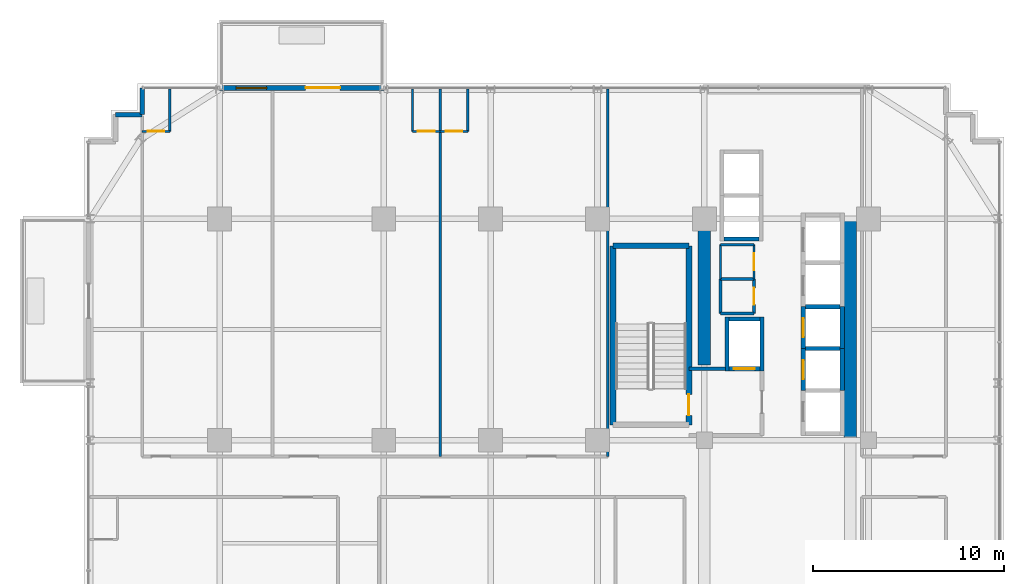
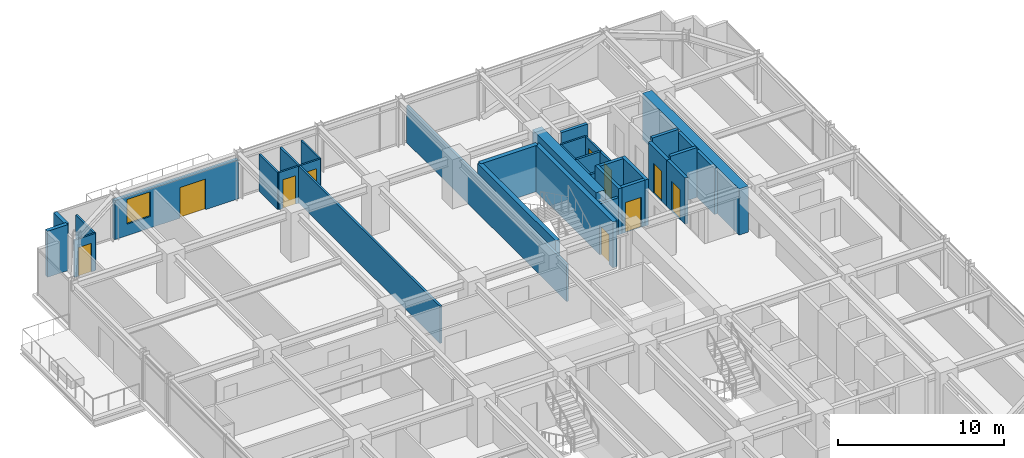
# One storey, part 30 of 35: 35 walls, 10 doors, 1 window, 11 openings.
"""IFC4 building model written with IfcOpenShell, lengths in metres."""

from ifc_helpers import new_model, si_unit, direction, frame, frame_2d, origin, place, context, subcontext, project, spatial, rectangle, extrude, source, transform, mapped, material, layer, layer_set, type_object, element, fill, save


model = new_model("IFC4")

# Units and contexts
model_context = context("Model", 3, precision=1e-05, world=origin(), true_north=direction((0.0, 1.0)))
body_context = subcontext(model_context, "Body", "Model", "MODEL_VIEW")
ifc_project = project(units=[si_unit("LENGTHUNIT", "METRE"), si_unit("AREAUNIT", "SQUARE_METRE"), si_unit("VOLUMEUNIT", "CUBIC_METRE"), si_unit("PLANEANGLEUNIT", "RADIAN"), si_unit("MASSUNIT", "GRAM", prefix="KILO")], contexts=[model_context])

# Site, building, storey
site_placement = place(None, origin())
site = spatial("IfcSite", under=ifc_project, at=site_placement, CompositionType="ELEMENT")
building_placement = place(site_placement, origin())
building = spatial("IfcBuilding", under=site, at=building_placement, Name="Nahalor Promenade Grand Hotel", CompositionType="ELEMENT")
storey_placement = place(building_placement, frame((0.0, 0.0, 106.550048828125)))
storey = spatial("IfcBuildingStorey", under=building, at=storey_placement, Name="L26", CompositionType="ELEMENT", Elevation=106.550048828125)

# Walls
ifc_material_1 = material(Name="Concrete B-60 (C50/60)", Category="concrete")
ifc_layer_1 = layer(ifc_material_1, 0.64990234375)
ifc_layer_set_1 = layer_set([ifc_layer_1], Name="Concrete B-60 (C50/60)")
wall_type_1 = type_object("IfcWallType", Name="Wall-CoreShear-650", PredefinedType="SHEAR", material=ifc_layer_set_1)
shared_shape_1 = source(origin(), body_context, "Body", "SweptSolid", [
    extrude(rectangle(XDim=7.64990234375, YDim=0.64990234375, at=frame_2d((3.824951171875, 0.0))), origin(), (0.0, 0.0, 1.0), 3.3798828125),
])
wall_1_placement = place(storey_placement, frame((8.39990234375, 9.35009765625, 0.0), z_axis=(0.0, 0.0, 1.0), x_axis=(0.0, 1.0, 0.0)))
element("IfcWall", 1, at=wall_1_placement, inside=storey, type_object=wall_type_1, Name="CWALL-L26-NW", PredefinedType="SHEAR", context=body_context, shape_type="MappedRepresentation", body=[
    mapped(shared_shape_1, transform((0.0, 0.0, 0.0), scale=1.0)),
])
shared_shape_2 = source(origin(), body_context, "Body", "SweptSolid", [
    extrude(rectangle(XDim=11.60009765625, YDim=0.64990234375, at=frame_2d((5.800048828125, 0.0))), origin(), (0.0, 0.0, 1.0), 3.3798828125),
])
wall_2_placement = place(storey_placement, frame((16.050048828125, 5.39990234375, 0.0), z_axis=(0.0, 0.0, 1.0), x_axis=(0.0, 1.0, 0.0)))
element("IfcWall", 2, at=wall_2_placement, inside=storey, type_object=wall_type_1, Name="CWALL-L26-NE", PredefinedType="SHEAR", context=body_context, shape_type="MappedRepresentation", body=[
    mapped(shared_shape_2, transform((0.0, 0.0, 0.0), scale=1.0)),
])
ifc_material_2 = material(Name="Concrete B-50 (C40/50)", Category="concrete")
ifc_layer_2 = layer(ifc_material_2, 0.300048828125)
ifc_layer_set_2 = layer_set([ifc_layer_2], Name="Concrete B-50 (C40/50)")
wall_type_2 = type_object("IfcWallType", Name="Wall-ShaftShear-300", PredefinedType="SHEAR", material=ifc_layer_set_2)
shared_shape_3 = source(origin(), body_context, "Body", "SweptSolid", [
    extrude(rectangle(XDim=3.97998046875, YDim=0.300048828125, at=frame_2d((1.989990234375, 0.0))), origin(), (0.0, 0.0, 1.0), 3.3798828125),
])
wall_3_placement = place(storey_placement, frame((3.610107421875, 15.590087890625, 0.0), z_axis=(0.0, 0.0, 1.0), x_axis=(1.0, 0.0, 0.0)))
element("IfcWall", 3, at=wall_3_placement, inside=storey, type_object=wall_type_2, Name="L26 Exit Stair ST1 Shaft Wall N", PredefinedType="SHEAR", context=body_context, shape_type="MappedRepresentation", body=[
    mapped(shared_shape_3, transform((0.0, 0.0, 0.0), scale=1.0)),
])
shared_shape_4 = source(origin(), body_context, "Body", "SweptSolid", [
    extrude(rectangle(XDim=9.380126953125, YDim=0.300048828125, at=frame_2d((4.68994140625, 0.0))), origin(), (0.0, 0.0, 1.0), 3.3798828125),
])
wall_4_placement = place(storey_placement, frame((3.610107421875, 6.2099609375, 0.0), z_axis=(0.0, 0.0, 1.0), x_axis=(0.0, 1.0, 0.0)))
element("IfcWall", 4, at=wall_4_placement, inside=storey, type_object=wall_type_2, Name="L26 Exit Stair ST1 Shaft Wall W", PredefinedType="SHEAR", context=body_context, shape_type="MappedRepresentation", body=[
    mapped(shared_shape_4, transform((0.0, 0.0, 0.0), scale=1.0)),
])

# Wall, opening, door
wall_5_placement = place(storey_placement, frame((7.590087890625, 6.2099609375, 0.0), z_axis=(0.0, 0.0, 1.0), x_axis=(0.0, 1.0, 0.0)))
wall_5 = element("IfcWall", 5, at=wall_5_placement, inside=storey, type_object=wall_type_2, Name="L26 Exit Stair ST1 Shaft Wall E", PredefinedType="SHEAR", context=body_context, shape_type="MappedRepresentation", body=[
    mapped(shared_shape_4, transform((0.0, 0.0, 0.0), scale=1.0)),
])
opening_1_placement = place(wall_5_placement, frame((0.489990234375, 0.0, 0.0)))
opening_1 = element("IfcOpeningElement", 6, at=opening_1_placement, cuts=wall_5, Name="Opening D-ST1", PredefinedType="OPENING", context=body_context, shape_type="SweptSolid", body=[
    extrude(rectangle(XDim=1.10009765625, YDim=2.14990234375, at=frame_2d((0.550048828125, 1.074951171875))), frame((0.0, 0.159912109375, 0.0), z_axis=(0.0, -1.0, 0.0), x_axis=(1.0, 0.0, 0.0)), (0.0, 0.0, 1.0), 0.320068359375),
])
ifc_material_3 = material(Name="Steel S355JR", Category="steel")
door_type_1 = type_object("IfcDoorType", Name="Door-StairFire-1100", OperationType="NOTDEFINED", PredefinedType="DOOR", material=ifc_material_3)
shared_shape_5 = source(origin(), body_context, "Body", "SweptSolid", [
    extrude(rectangle(XDim=1.10009765625, YDim=2.14990234375, at=frame_2d((0.550048828125, 1.074951171875))), frame((0.0, 0.02490234375, 0.0), z_axis=(0.0, -1.0, 0.0), x_axis=(1.0, 0.0, 0.0)), (0.0, 0.0, 1.0), 0.050048828125),
])
door_1_placement = place(opening_1_placement, origin())
door_1 = element("IfcDoor", 7, at=door_1_placement, inside=storey, type_object=door_type_1, Name="DR-STAIR-ST1-L26", OperationType="SINGLE_SWING_LEFT", OverallHeight=2.14990234375, OverallWidth=1.10009765625, PredefinedType="DOOR", context=body_context, shape_type="MappedRepresentation", body=[
    mapped(shared_shape_5, transform((0.0, 0.0, 0.0), scale=1.0)),
])
fill(opening_1, door_1)

# Walls
ifc_layer_3 = layer(ifc_material_2, 0.219970703125)
ifc_layer_set_3 = layer_set([ifc_layer_3], Name="Concrete B-50 (C40/50)")
wall_type_3 = type_object("IfcWallType", Name="Wall-LiftShaft-220", PredefinedType="SHEAR", material=ifc_layer_set_3)
shared_shape_6 = source(origin(), body_context, "Body", "SweptSolid", [
    extrude(rectangle(XDim=1.820068359375, YDim=0.219970703125, at=frame_2d((0.91015625, 0.0))), origin(), (0.0, 0.0, 1.0), 3.64990234375),
])
for number, where, z_axis, x_axis, name in (
    (8, (13.68994140625, 10.199951171875, 0.0), (0.0, 0.0, 1.0), (1.0, 0.0, 0.0), "L26 Lift PL2 Hoistway Wall N"),
    (9, (13.68994140625, 12.39990234375, 0.0), (0.0, 0.0, 1.0), (1.0, 0.0, 0.0), "L26 Lift PL3 Hoistway Wall N"),
):
    element("IfcWall", number, at=place(storey_placement, frame(where, z_axis=z_axis, x_axis=x_axis)), inside=storey, type_object=wall_type_3, Name=name, PredefinedType="SHEAR", context=body_context, shape_type="MappedRepresentation", body=[
        mapped(shared_shape_6, transform((0.0, 0.0, 0.0), scale=1.0)),
    ])
shared_shape_7 = source(origin(), body_context, "Body", "SweptSolid", [
    extrude(rectangle(XDim=1.820068359375, YDim=0.219970703125, at=frame_2d((0.91015625, 0.0))), origin(), (0.0, 0.0, 1.0), 3.3798828125),
])
wall_6_placement = place(storey_placement, frame((9.43994140625, 15.949951171875, 0.0), z_axis=(0.0, 0.0, 1.0), x_axis=(1.0, 0.0, 0.0)))
element("IfcWall", 10, at=wall_6_placement, inside=storey, type_object=wall_type_3, Name="L26 Lift OB1 Hoistway Wall S", PredefinedType="SHEAR", context=body_context, shape_type="MappedRepresentation", body=[
    mapped(shared_shape_7, transform((0.0, 0.0, 0.0), scale=1.0)),
])

# Wall, opening, door
shared_shape_8 = source(origin(), body_context, "Body", "SweptSolid", [
    extrude(rectangle(XDim=2.199951171875, YDim=0.219970703125, at=frame_2d((1.10009765625, 0.0))), origin(), (0.0, 0.0, 1.0), 3.3798828125),
])
wall_7_placement = place(storey_placement, frame((13.580078125, 8.0, 0.0), z_axis=(0.0, 0.0, 1.0), x_axis=(0.0, 1.0, 0.0)))
wall_7 = element("IfcWall", 11, at=wall_7_placement, inside=storey, type_object=wall_type_3, Name="L26 Lift PL2 Hoistway Wall W", PredefinedType="SHEAR", context=body_context, shape_type="MappedRepresentation", body=[
    mapped(shared_shape_8, transform((0.0, 0.0, 0.0), scale=1.0)),
])
opening_2_placement = place(wall_7_placement, frame((0.60009765625, 0.0, 0.0)))
opening_2 = element("IfcOpeningElement", 12, at=opening_2_placement, cuts=wall_7, Name="Opening LD-01", PredefinedType="OPENING", context=body_context, shape_type="SweptSolid", body=[
    extrude(rectangle(XDim=1.0, YDim=2.199951171875, at=frame_2d((0.5, 1.10009765625))), frame((0.0, 0.119873046875, 0.0), z_axis=(0.0, -1.0, 0.0), x_axis=(1.0, 0.0, 0.0)), (0.0, 0.0, 1.0), 0.239990234375),
])
door_type_2 = type_object("IfcDoorType", Name="Door-LiftLanding-1000", OperationType="DOUBLE_DOOR_SLIDING", PredefinedType="DOOR", material=ifc_material_3)
shared_shape_9 = source(origin(), body_context, "Body", "SweptSolid", [
    extrude(rectangle(XDim=1.0, YDim=2.199951171875, at=frame_2d((0.5, 1.10009765625))), frame((0.0, 0.02490234375, 0.0), z_axis=(0.0, -1.0, 0.0), x_axis=(1.0, 0.0, 0.0)), (0.0, 0.0, 1.0), 0.050048828125),
])
door_2_placement = place(opening_2_placement, origin())
door_2 = element("IfcDoor", 13, at=door_2_placement, inside=storey, type_object=door_type_2, Name="DR-LIFT-PL2-L26", OperationType="DOUBLE_DOOR_SLIDING", OverallHeight=2.199951171875, OverallWidth=1.0, PredefinedType="DOOR", context=body_context, shape_type="MappedRepresentation", body=[
    mapped(shared_shape_9, transform((0.0, 0.0, 0.0), scale=1.0)),
])
fill(opening_2, door_2)

# Wall
wall_8_placement = place(storey_placement, frame((15.6201171875, 8.0, 0.0), z_axis=(0.0, 0.0, 1.0), x_axis=(0.0, 1.0, 0.0)))
element("IfcWall", 14, at=wall_8_placement, inside=storey, type_object=wall_type_3, Name="L26 Lift PL2 Hoistway Wall E", PredefinedType="SHEAR", context=body_context, shape_type="MappedRepresentation", body=[
    mapped(shared_shape_8, transform((0.0, 0.0, 0.0), scale=1.0)),
])

# Wall, opening, door
wall_9_placement = place(storey_placement, frame((13.580078125, 10.199951171875, 0.0), z_axis=(0.0, 0.0, 1.0), x_axis=(0.0, 1.0, 0.0)))
wall_9 = element("IfcWall", 15, at=wall_9_placement, inside=storey, type_object=wall_type_3, Name="L26 Lift PL3 Hoistway Wall W", PredefinedType="SHEAR", context=body_context, shape_type="MappedRepresentation", body=[
    mapped(shared_shape_8, transform((0.0, 0.0, 0.0), scale=1.0)),
])
opening_3_placement = place(wall_9_placement, frame((0.60009765625, 0.0, 0.0)))
opening_3 = element("IfcOpeningElement", 16, at=opening_3_placement, cuts=wall_9, Name="Opening LD-01", PredefinedType="OPENING", context=body_context, shape_type="SweptSolid", body=[
    extrude(rectangle(XDim=1.0, YDim=2.199951171875, at=frame_2d((0.5, 1.10009765625))), frame((0.0, 0.119873046875, 0.0), z_axis=(0.0, -1.0, 0.0), x_axis=(1.0, 0.0, 0.0)), (0.0, 0.0, 1.0), 0.239990234375),
])
door_3_placement = place(opening_3_placement, origin())
door_3 = element("IfcDoor", 17, at=door_3_placement, inside=storey, type_object=door_type_2, Name="DR-LIFT-PL3-L26", OperationType="DOUBLE_DOOR_SLIDING", OverallHeight=2.199951171875, OverallWidth=1.0, PredefinedType="DOOR", context=body_context, shape_type="MappedRepresentation", body=[
    mapped(shared_shape_9, transform((0.0, 0.0, 0.0), scale=1.0)),
])
fill(opening_3, door_3)

# Walls
wall_10_placement = place(storey_placement, frame((15.6201171875, 10.199951171875, 0.0), z_axis=(0.0, 0.0, 1.0), x_axis=(0.0, 1.0, 0.0)))
element("IfcWall", 18, at=wall_10_placement, inside=storey, type_object=wall_type_3, Name="L26 Lift PL3 Hoistway Wall E", PredefinedType="SHEAR", context=body_context, shape_type="MappedRepresentation", body=[
    mapped(shared_shape_8, transform((0.0, 0.0, 0.0), scale=1.0)),
])
shared_shape_10 = source(origin(), body_context, "Body", "SweptSolid", [
    extrude(rectangle(XDim=2.820068359375, YDim=0.219970703125, at=frame_2d((1.41015625, 0.0))), origin(), (0.0, 0.0, 1.0), 3.3798828125),
])
for number, where, z_axis, x_axis, name in (
    (19, (9.580078125, 9.0400390625, 0.0), (0.0, 0.0, 1.0), (0.0, 1.0, 0.0), "L26 Lift FL1 Hoistway Wall W"),
    (20, (11.419921875, 9.0400390625, 0.0), (0.0, 0.0, 1.0), (0.0, 1.0, 0.0), "L26 Lift FL1 Hoistway Wall E"),
):
    element("IfcWall", number, at=place(storey_placement, frame(where, z_axis=z_axis, x_axis=x_axis)), inside=storey, type_object=wall_type_3, Name=name, PredefinedType="SHEAR", context=body_context, shape_type="MappedRepresentation", body=[
        mapped(shared_shape_10, transform((0.0, 0.0, 0.0), scale=1.0)),
    ])

# Wall, opening, door
shared_shape_11 = source(origin(), body_context, "Body", "SweptSolid", [
    extrude(rectangle(XDim=1.6201171875, YDim=0.219970703125, at=frame_2d((0.81005859375, 0.0))), origin(), (0.0, 0.0, 1.0), 3.3798828125),
])
wall_11_placement = place(storey_placement, frame((9.68994140625, 9.14990234375, 0.0), z_axis=(0.0, 0.0, 1.0), x_axis=(1.0, 0.0, 0.0)))
wall_11 = element("IfcWall", 21, at=wall_11_placement, inside=storey, type_object=wall_type_3, Name="L26 Lift FL1 Hoistway Wall S", PredefinedType="SHEAR", context=body_context, shape_type="MappedRepresentation", body=[
    mapped(shared_shape_11, transform((0.0, 0.0, 0.0), scale=1.0)),
])
opening_4_placement = place(wall_11_placement, frame((0.260009765625, 0.0, 0.0)))
opening_4 = element("IfcOpeningElement", 22, at=opening_4_placement, cuts=wall_11, Name="Opening LD-02", PredefinedType="OPENING", context=body_context, shape_type="SweptSolid", body=[
    extrude(rectangle(XDim=1.10009765625, YDim=2.199951171875, at=frame_2d((0.550048828125, 1.10009765625))), frame((0.0, 0.119873046875, 0.0), z_axis=(0.0, -1.0, 0.0), x_axis=(1.0, 0.0, 0.0)), (0.0, 0.0, 1.0), 0.239990234375),
])
door_type_3 = type_object("IfcDoorType", Name="Door-LiftFF-1100", OperationType="DOUBLE_DOOR_SLIDING", PredefinedType="DOOR", material=ifc_material_3)
shared_shape_12 = source(origin(), body_context, "Body", "SweptSolid", [
    extrude(rectangle(XDim=1.10009765625, YDim=2.199951171875, at=frame_2d((0.550048828125, 1.10009765625))), frame((0.0, 0.02490234375, 0.0), z_axis=(0.0, -1.0, 0.0), x_axis=(1.0, 0.0, 0.0)), (0.0, 0.0, 1.0), 0.050048828125),
])
door_4_placement = place(opening_4_placement, frame((1.10009765625, 0.0, 0.0), z_axis=(0.0, 0.0, 1.0), x_axis=(-1.0, 0.0, 0.0)))
door_4 = element("IfcDoor", 23, at=door_4_placement, inside=storey, type_object=door_type_3, Name="DR-LIFT-FL1-L26", OperationType="DOUBLE_DOOR_SLIDING", OverallHeight=2.199951171875, OverallWidth=1.10009765625, PredefinedType="DOOR", context=body_context, shape_type="MappedRepresentation", body=[
    mapped(shared_shape_12, transform((0.0, 0.0, 0.0), scale=1.0)),
])
fill(opening_4, door_4)

# Walls
wall_12_placement = place(storey_placement, frame((9.68994140625, 11.75, 0.0), z_axis=(0.0, 0.0, 1.0), x_axis=(1.0, 0.0, 0.0)))
element("IfcWall", 24, at=wall_12_placement, inside=storey, type_object=wall_type_3, Name="L26 Lift FL1 Hoistway Wall N", PredefinedType="SHEAR", context=body_context, shape_type="MappedRepresentation", body=[
    mapped(shared_shape_11, transform((0.0, 0.0, 0.0), scale=1.0)),
])
ifc_material_4 = material(Name="Concrete B-40 (C32/40)", Category="concrete")
ifc_layer_4 = layer(ifc_material_4, 0.25)
ifc_layer_set_4 = layer_set([ifc_layer_4], Name="Concrete B-40 (C32/40)")
wall_type_4 = type_object("IfcWallType", Name="Wall-BronzePier-250", PredefinedType="STANDARD", material=ifc_layer_set_4)
shared_shape_13 = source(origin(), body_context, "Body", "SweptSolid", [
    extrude(rectangle(XDim=1.400146484375, YDim=0.25, at=frame_2d((0.7001953125, 0.0))), origin(), (0.0, 0.0, 1.0), 3.3798828125),
])
wall_13_placement = place(storey_placement, frame((-21.06005859375, 22.4599609375, 0.0), z_axis=(0.0, 0.0, 1.0), x_axis=(0.0, 1.0, 0.0)))
element("IfcWall", 25, at=wall_13_placement, inside=storey, type_object=wall_type_4, Name="W-L26-SR-09", PredefinedType="STANDARD", context=body_context, shape_type="MappedRepresentation", body=[
    mapped(shared_shape_13, transform((0.0, 0.0, 0.0), scale=1.0)),
])
shared_shape_14 = source(origin(), body_context, "Body", "SweptSolid", [
    extrude(rectangle(XDim=1.39990234375, YDim=0.25, at=frame_2d((0.699951171875, 0.0))), origin(), (0.0, 0.0, 1.0), 3.3798828125),
])
wall_14_placement = place(storey_placement, frame((-22.4599609375, 22.4599609375, 0.0), z_axis=(0.0, 0.0, 1.0), x_axis=(1.0, 0.0, 0.0)))
element("IfcWall", 26, at=wall_14_placement, inside=storey, type_object=wall_type_4, Name="W-L26-SR-10", PredefinedType="STANDARD", context=body_context, shape_type="MappedRepresentation", body=[
    mapped(shared_shape_14, transform((0.0, 0.0, 0.0), scale=1.0)),
])

# Wall, openings, door, window
ifc_layer_5 = layer(ifc_material_4, 0.260009765625)
ifc_layer_set_5 = layer_set([ifc_layer_5], Name="Concrete B-40 (C32/40)")
wall_type_5 = type_object("IfcWallType", Name="Wall-BalconyWall-260", PredefinedType="STANDARD", material=ifc_layer_set_5)
shared_shape_15 = source(origin(), body_context, "Body", "SweptSolid", [
    extrude(rectangle(XDim=8.60009765625, YDim=0.260009765625, at=frame_2d((4.300048828125, 0.0))), origin(), (0.0, 0.0, 1.0), 2.85986328125),
])
wall_15_placement = place(storey_placement, frame((-17.0, 23.860107421875, 0.0), z_axis=(0.0, 0.0, 1.0), x_axis=(1.0, 0.0, 0.0)))
wall_15 = element("IfcWall", 27, at=wall_15_placement, inside=storey, type_object=wall_type_5, Name="W-L26-BALC-N-2", PredefinedType="STANDARD", context=body_context, shape_type="MappedRepresentation", body=[
    mapped(shared_shape_15, transform((0.0, 0.0, 0.0), scale=1.0)),
])
opening_5_placement = place(wall_15_placement, frame((4.510986328125, 0.0, 0.0)))
opening_5 = element("IfcOpeningElement", 28, at=opening_5_placement, cuts=wall_15, Name="Opening D-BC1", PredefinedType="OPENING", context=body_context, shape_type="SweptSolid", body=[
    extrude(rectangle(XDim=1.800048828125, YDim=2.25, at=frame_2d((0.89990234375, 1.125))), frame((0.0, 0.139892578125, 0.0), z_axis=(0.0, -1.0, 0.0), x_axis=(1.0, 0.0, 0.0)), (0.0, 0.0, 1.0), 0.280029296875),
])
opening_6_placement = place(wall_15_placement, frame((0.861083984375, 0.0, 0.85009765625)))
opening_6 = element("IfcOpeningElement", 29, at=opening_6_placement, cuts=wall_15, Name="Opening WN-03", PredefinedType="OPENING", context=body_context, shape_type="SweptSolid", body=[
    extrude(rectangle(XDim=1.60009765625, YDim=1.800048828125, at=frame_2d((0.800048828125, 0.89990234375))), frame((0.0, 0.139892578125, 0.0), z_axis=(0.0, -1.0, 0.0), x_axis=(1.0, 0.0, 0.0)), (0.0, 0.0, 1.0), 0.280029296875),
])
ifc_material_5 = material(Name="Anodised Bronze Aluminium EN AW-6063 T6", Category="aluminium")
door_type_4 = type_object("IfcDoorType", Name="Door-BalconySlide-1800", OperationType="DOUBLE_DOOR_SLIDING", PredefinedType="DOOR", material=ifc_material_5)
shared_shape_16 = source(origin(), body_context, "Body", "SweptSolid", [
    extrude(rectangle(XDim=1.800048828125, YDim=2.25, at=frame_2d((0.89990234375, 1.125))), frame((0.0, 0.02490234375, 0.0), z_axis=(0.0, -1.0, 0.0), x_axis=(1.0, 0.0, 0.0)), (0.0, 0.0, 1.0), 0.050048828125),
])
door_5_placement = place(opening_5_placement, origin())
door_5 = element("IfcDoor", 30, at=door_5_placement, inside=storey, type_object=door_type_4, Name="DR-L26-BALC-N-2", OperationType="DOUBLE_DOOR_SLIDING", OverallHeight=2.25, OverallWidth=1.800048828125, PredefinedType="DOOR", context=body_context, shape_type="MappedRepresentation", body=[
    mapped(shared_shape_16, transform((0.0, 0.0, 0.0), scale=1.0)),
])
fill(opening_5, door_5)
ifc_material_6 = material(Name="Low-E Laminated Solar Glass", Category="glass")
window_type = type_object("IfcWindowType", Name="Win-CrownVented-1600x1800", PartitioningType="SINGLE_PANEL", PredefinedType="WINDOW", material=ifc_material_6)
shared_shape_17 = source(origin(), body_context, "Body", "SweptSolid", [
    extrude(rectangle(XDim=1.60009765625, YDim=1.800048828125, at=frame_2d((0.800048828125, 0.89990234375))), frame((0.0, 0.030029296875, 0.0), z_axis=(0.0, -1.0, 0.0), x_axis=(1.0, 0.0, 0.0)), (0.0, 0.0, 1.0), 0.06005859375),
])
window_placement = place(opening_6_placement, origin())
window = element("IfcWindow", 31, at=window_placement, inside=storey, type_object=window_type, Name="WN-L26-BALC-N-2-1", OverallHeight=1.800048828125, OverallWidth=1.60009765625, PartitioningType="SINGLE_PANEL", PredefinedType="WINDOW", context=body_context, shape_type="MappedRepresentation", body=[
    mapped(shared_shape_17, transform((0.0, 0.0, 0.0), scale=1.0)),
])
fill(opening_6, window)

# Walls
ifc_layer_6 = layer(ifc_material_4, 0.199951171875)
ifc_layer_set_6 = layer_set([ifc_layer_6], Name="Concrete B-40 (C32/40)")
wall_type_6 = type_object("IfcWallType", Name="Wall-PartFire-200", PredefinedType="PARTITIONING", material=ifc_layer_set_6)
shared_shape_18 = source(origin(), body_context, "Body", "SweptSolid", [
    extrude(rectangle(XDim=1.89990234375, YDim=0.199951171875, at=frame_2d((0.949951171875, 0.0))), origin(), (0.0, 0.0, 1.0), 2.719970703125),
])
wall_16_placement = place(storey_placement, frame((7.60009765625, 9.14990234375, 0.0), z_axis=(0.0, 0.0, 1.0), x_axis=(1.0, 0.0, 0.0)))
element("IfcWall", 32, at=wall_16_placement, inside=storey, type_object=wall_type_6, Name="W-L26-FF1-N", PredefinedType="PARTITIONING", context=body_context, shape_type="MappedRepresentation", body=[
    mapped(shared_shape_18, transform((0.0, 0.0, 0.0), scale=1.0)),
])
ifc_material_7 = material(Name="Acoustic Mineral Gypsum", Category="gypsum")
ifc_layer_7 = layer(ifc_material_7, 0.14990234375)
ifc_layer_set_7 = layer_set([ifc_layer_7], Name="Acoustic Mineral Gypsum")
wall_type_7 = type_object("IfcWallType", Name="Wall-PartService-150", PredefinedType="PARTITIONING", material=ifc_layer_set_7)
shared_shape_19 = source(origin(), body_context, "Body", "SweptSolid", [
    extrude(rectangle(XDim=1.75, YDim=0.14990234375, at=frame_2d((0.875, 0.0))), origin(), (0.0, 0.0, 1.0), 2.719970703125),
])
for number, where, z_axis, x_axis, name in (
    (33, (9.25, 12.050048828125, 0.0), (0.0, 0.0, 1.0), (1.0, 0.0, 0.0), "W-L26-CK2A-S"),
    (34, (9.25, 13.85009765625, 0.0), (0.0, 0.0, 1.0), (1.0, 0.0, 0.0), "W-L26-CK2A-N"),
):
    element("IfcWall", number, at=place(storey_placement, frame(where, z_axis=z_axis, x_axis=x_axis)), inside=storey, type_object=wall_type_7, Name=name, PredefinedType="PARTITIONING", context=body_context, shape_type="MappedRepresentation", body=[
        mapped(shared_shape_19, transform((0.0, 0.0, 0.0), scale=1.0)),
    ])
ifc_layer_8 = layer(ifc_material_7, 0.1201171875)
ifc_layer_set_8 = layer_set([ifc_layer_8], Name="Acoustic Mineral Gypsum")
wall_type_8 = type_object("IfcWallType", Name="Wall-PartBath-120", PredefinedType="PARTITIONING", material=ifc_layer_set_8)
shared_shape_20 = source(origin(), body_context, "Body", "SweptSolid", [
    extrude(rectangle(XDim=1.75, YDim=0.1201171875, at=frame_2d((0.875, 0.0))), origin(), (0.0, 0.0, 1.0), 2.719970703125),
])
wall_17_placement = place(storey_placement, frame((9.25, 15.64990234375, 0.0), z_axis=(0.0, 0.0, 1.0), x_axis=(1.0, 0.0, 0.0)))
element("IfcWall", 35, at=wall_17_placement, inside=storey, type_object=wall_type_8, Name="W-L26-CK2B-N", PredefinedType="PARTITIONING", context=body_context, shape_type="MappedRepresentation", body=[
    mapped(shared_shape_20, transform((0.0, 0.0, 0.0), scale=1.0)),
])
ifc_layer_9 = layer(ifc_material_7, 0.139892578125)
ifc_layer_set_9 = layer_set([ifc_layer_9], Name="Acoustic Mineral Gypsum")
wall_type_9 = type_object("IfcWallType", Name="Wall-PartSuite-140", PredefinedType="PARTITIONING", material=ifc_layer_set_9)
shared_shape_21 = source(origin(), body_context, "Body", "SweptSolid", [
    extrude(rectangle(XDim=19.25, YDim=0.139892578125, at=frame_2d((9.625, 0.0))), origin(), (0.0, 0.0, 1.0), 2.719970703125),
])
for number, where, z_axis, x_axis, name in (
    (36, (3.340087890625, 4.550048828125, 0.0), (0.0, 0.0, 1.0), (0.0, 1.0, 0.0), "W-L26-NW-ENDE"),
    (37, (-5.444091796875, 4.550048828125, 0.0), (0.0, 0.0, 1.0), (0.0, 1.0, 0.0), "W-L26-NP-2"),
):
    element("IfcWall", number, at=place(storey_placement, frame(where, z_axis=z_axis, x_axis=x_axis)), inside=storey, type_object=wall_type_9, Name=name, PredefinedType="PARTITIONING", context=body_context, shape_type="MappedRepresentation", body=[
        mapped(shared_shape_21, transform((0.0, 0.0, 0.0), scale=1.0)),
    ])

# Wall, opening, door
shared_shape_22 = source(origin(), body_context, "Body", "SweptSolid", [
    extrude(rectangle(XDim=1.4501953125, YDim=0.1201171875, at=frame_2d((0.72509765625, 0.0))), origin(), (0.0, 0.0, 1.0), 2.719970703125),
])
wall_18_placement = place(storey_placement, frame((-5.444091796875, 21.580078125, 0.0), z_axis=(0.0, 0.0, 1.0), x_axis=(1.0, 0.0, 0.0)))
wall_18 = element("IfcWall", 38, at=wall_18_placement, inside=storey, type_object=wall_type_8, Name="W-L26-N3-BH", PredefinedType="PARTITIONING", context=body_context, shape_type="MappedRepresentation", body=[
    mapped(shared_shape_22, transform((0.0, 0.0, 0.0), scale=1.0)),
])
opening_7_placement = place(wall_18_placement, frame((0.284912109375, 0.0, 0.0)))
opening_7 = element("IfcOpeningElement", 39, at=opening_7_placement, cuts=wall_18, Name="Opening D-03", PredefinedType="OPENING", context=body_context, shape_type="SweptSolid", body=[
    extrude(rectangle(XDim=0.8798828125, YDim=2.10009765625, at=frame_2d((0.43994140625, 1.050048828125))), frame((0.0, 0.070068359375, 0.0), z_axis=(0.0, -1.0, 0.0), x_axis=(1.0, 0.0, 0.0)), (0.0, 0.0, 1.0), 0.14013671875),
])
ifc_material_8 = material(Name="Fire-Rated Timber Composite", Category="wood")
door_type_5 = type_object("IfcDoorType", Name="Door-BathSwing-880", OperationType="NOTDEFINED", PredefinedType="DOOR", material=ifc_material_8)
shared_shape_23 = source(origin(), body_context, "Body", "SweptSolid", [
    extrude(rectangle(XDim=0.8798828125, YDim=2.10009765625, at=frame_2d((0.43994140625, 1.050048828125))), frame((0.0, 0.02490234375, 0.0), z_axis=(0.0, -1.0, 0.0), x_axis=(1.0, 0.0, 0.0)), (0.0, 0.0, 1.0), 0.050048828125),
])
door_6_placement = place(opening_7_placement, origin())
door_6 = element("IfcDoor", 40, at=door_6_placement, inside=storey, type_object=door_type_5, Name="DR-L26-N3-BATH", OperationType="SINGLE_SWING_RIGHT", OverallHeight=2.10009765625, OverallWidth=0.8798828125, PredefinedType="DOOR", context=body_context, shape_type="MappedRepresentation", body=[
    mapped(shared_shape_23, transform((0.0, 0.0, 0.0), scale=1.0)),
])
fill(opening_7, door_6)

# Walls
shared_shape_24 = source(origin(), body_context, "Body", "SweptSolid", [
    extrude(rectangle(XDim=2.219970703125, YDim=0.1201171875, at=frame_2d((1.10986328125, 0.0))), origin(), (0.0, 0.0, 1.0), 2.719970703125),
])
for number, where, z_axis, x_axis, name in (
    (41, (-19.610107421875, 21.580078125, 0.0), (0.0, 0.0, 1.0), (0.0, 1.0, 0.0), "W-L26-N1-BV"),
    (42, (-6.89404296875, 21.580078125, 0.0), (0.0, 0.0, 1.0), (0.0, 1.0, 0.0), "W-L26-N2-BV"),
    (43, (-3.993896484375, 21.580078125, 0.0), (0.0, 0.0, 1.0), (0.0, 1.0, 0.0), "W-L26-N3-BV"),
):
    element("IfcWall", number, at=place(storey_placement, frame(where, z_axis=z_axis, x_axis=x_axis)), inside=storey, type_object=wall_type_8, Name=name, PredefinedType="PARTITIONING", context=body_context, shape_type="MappedRepresentation", body=[
        mapped(shared_shape_24, transform((0.0, 0.0, 0.0), scale=1.0)),
    ])

# Wall, opening, door
shared_shape_25 = source(origin(), body_context, "Body", "SweptSolid", [
    extrude(rectangle(XDim=1.449951171875, YDim=0.1201171875, at=frame_2d((0.72509765625, 0.0))), origin(), (0.0, 0.0, 1.0), 2.719970703125),
])
wall_19_placement = place(storey_placement, frame((-21.06005859375, 21.580078125, 0.0), z_axis=(0.0, 0.0, 1.0), x_axis=(1.0, 0.0, 0.0)))
wall_19 = element("IfcWall", 44, at=wall_19_placement, inside=storey, type_object=wall_type_8, Name="W-L26-N1-BH", PredefinedType="PARTITIONING", context=body_context, shape_type="MappedRepresentation", body=[
    mapped(shared_shape_25, transform((0.0, 0.0, 0.0), scale=1.0)),
])
opening_8_placement = place(wall_19_placement, frame((0.284912109375, 0.0, 0.0)))
opening_8 = element("IfcOpeningElement", 45, at=opening_8_placement, cuts=wall_19, Name="Opening D-03", PredefinedType="OPENING", context=body_context, shape_type="SweptSolid", body=[
    extrude(rectangle(XDim=0.8798828125, YDim=2.10009765625, at=frame_2d((0.43994140625, 1.050048828125))), frame((0.0, 0.070068359375, 0.0), z_axis=(0.0, -1.0, 0.0), x_axis=(1.0, 0.0, 0.0)), (0.0, 0.0, 1.0), 0.14013671875),
])
door_7_placement = place(opening_8_placement, origin())
door_7 = element("IfcDoor", 46, at=door_7_placement, inside=storey, type_object=door_type_5, Name="DR-L26-N1-BATH", OperationType="SINGLE_SWING_LEFT", OverallHeight=2.10009765625, OverallWidth=0.8798828125, PredefinedType="DOOR", context=body_context, shape_type="MappedRepresentation", body=[
    mapped(shared_shape_23, transform((0.0, 0.0, 0.0), scale=1.0)),
])
fill(opening_8, door_7)

wall_20_placement = place(storey_placement, frame((-6.89404296875, 21.580078125, 0.0), z_axis=(0.0, 0.0, 1.0), x_axis=(1.0, 0.0, 0.0)))
wall_20 = element("IfcWall", 47, at=wall_20_placement, inside=storey, type_object=wall_type_8, Name="W-L26-N2-BH", PredefinedType="PARTITIONING", context=body_context, shape_type="MappedRepresentation", body=[
    mapped(shared_shape_25, transform((0.0, 0.0, 0.0), scale=1.0)),
])
opening_9_placement = place(wall_20_placement, frame((0.284912109375, 0.0, 0.0)))
opening_9 = element("IfcOpeningElement", 48, at=opening_9_placement, cuts=wall_20, Name="Opening D-03", PredefinedType="OPENING", context=body_context, shape_type="SweptSolid", body=[
    extrude(rectangle(XDim=0.8798828125, YDim=2.10009765625, at=frame_2d((0.43994140625, 1.050048828125))), frame((0.0, 0.070068359375, 0.0), z_axis=(0.0, -1.0, 0.0), x_axis=(1.0, 0.0, 0.0)), (0.0, 0.0, 1.0), 0.14013671875),
])
door_8_placement = place(opening_9_placement, origin())
door_8 = element("IfcDoor", 49, at=door_8_placement, inside=storey, type_object=door_type_5, Name="DR-L26-N2-BATH", OperationType="SINGLE_SWING_LEFT", OverallHeight=2.10009765625, OverallWidth=0.8798828125, PredefinedType="DOOR", context=body_context, shape_type="MappedRepresentation", body=[
    mapped(shared_shape_23, transform((0.0, 0.0, 0.0), scale=1.0)),
])
fill(opening_9, door_8)

# Wall
shared_shape_26 = source(origin(), body_context, "Body", "SweptSolid", [
    extrude(rectangle(XDim=1.800048828125, YDim=0.14990234375, at=frame_2d((0.89990234375, 0.0))), origin(), (0.0, 0.0, 1.0), 2.719970703125),
])
wall_21_placement = place(storey_placement, frame((9.25, 12.050048828125, 0.0), z_axis=(0.0, 0.0, 1.0), x_axis=(0.0, 1.0, 0.0)))
element("IfcWall", 50, at=wall_21_placement, inside=storey, type_object=wall_type_7, Name="W-L26-CK2A-W", PredefinedType="PARTITIONING", context=body_context, shape_type="MappedRepresentation", body=[
    mapped(shared_shape_26, transform((0.0, 0.0, 0.0), scale=1.0)),
])

# Wall, opening, door
wall_22_placement = place(storey_placement, frame((11.0, 12.050048828125, 0.0), z_axis=(0.0, 0.0, 1.0), x_axis=(0.0, 1.0, 0.0)))
wall_22 = element("IfcWall", 51, at=wall_22_placement, inside=storey, type_object=wall_type_7, Name="W-L26-CK2A-E", PredefinedType="PARTITIONING", context=body_context, shape_type="MappedRepresentation", body=[
    mapped(shared_shape_26, transform((0.0, 0.0, 0.0), scale=1.0)),
])
opening_10_placement = place(wall_22_placement, frame((0.4599609375, 0.0, 0.0)))
opening_10 = element("IfcOpeningElement", 52, at=opening_10_placement, cuts=wall_22, Name="Opening D-03", PredefinedType="OPENING", context=body_context, shape_type="SweptSolid", body=[
    extrude(rectangle(XDim=0.8798828125, YDim=2.10009765625, at=frame_2d((0.43994140625, 1.050048828125))), frame((0.0, 0.0849609375, 0.0), z_axis=(0.0, -1.0, 0.0), x_axis=(1.0, 0.0, 0.0)), (0.0, 0.0, 1.0), 0.169921875),
])
door_9_placement = place(opening_10_placement, origin())
door_9 = element("IfcDoor", 53, at=door_9_placement, inside=storey, type_object=door_type_5, Name="DR-L26-CK2A", OperationType="SINGLE_SWING_LEFT", OverallHeight=2.10009765625, OverallWidth=0.8798828125, PredefinedType="DOOR", context=body_context, shape_type="MappedRepresentation", body=[
    mapped(shared_shape_23, transform((0.0, 0.0, 0.0), scale=1.0)),
])
fill(opening_10, door_9)

# Wall
shared_shape_27 = source(origin(), body_context, "Body", "SweptSolid", [
    extrude(rectangle(XDim=1.7998046875, YDim=0.1201171875, at=frame_2d((0.89990234375, 0.0))), origin(), (0.0, 0.0, 1.0), 2.719970703125),
])
wall_23_placement = place(storey_placement, frame((9.25, 13.85009765625, 0.0), z_axis=(0.0, 0.0, 1.0), x_axis=(0.0, 1.0, 0.0)))
element("IfcWall", 54, at=wall_23_placement, inside=storey, type_object=wall_type_8, Name="W-L26-CK2B-W", PredefinedType="PARTITIONING", context=body_context, shape_type="MappedRepresentation", body=[
    mapped(shared_shape_27, transform((0.0, 0.0, 0.0), scale=1.0)),
])

# Wall, opening, door
wall_24_placement = place(storey_placement, frame((11.0, 13.85009765625, 0.0), z_axis=(0.0, 0.0, 1.0), x_axis=(0.0, 1.0, 0.0)))
wall_24 = element("IfcWall", 55, at=wall_24_placement, inside=storey, type_object=wall_type_8, Name="W-L26-CK2B-E", PredefinedType="PARTITIONING", context=body_context, shape_type="MappedRepresentation", body=[
    mapped(shared_shape_27, transform((0.0, 0.0, 0.0), scale=1.0)),
])
opening_11_placement = place(wall_24_placement, frame((0.4599609375, 0.0, 0.0)))
opening_11 = element("IfcOpeningElement", 56, at=opening_11_placement, cuts=wall_24, Name="Opening D-03", PredefinedType="OPENING", context=body_context, shape_type="SweptSolid", body=[
    extrude(rectangle(XDim=0.8798828125, YDim=2.10009765625, at=frame_2d((0.43994140625, 1.050048828125))), frame((0.0, 0.070068359375, 0.0), z_axis=(0.0, -1.0, 0.0), x_axis=(1.0, 0.0, 0.0)), (0.0, 0.0, 1.0), 0.14013671875),
])
door_10_placement = place(opening_11_placement, origin())
door_10 = element("IfcDoor", 57, at=door_10_placement, inside=storey, type_object=door_type_5, Name="DR-L26-CK2B", OperationType="SINGLE_SWING_RIGHT", OverallHeight=2.10009765625, OverallWidth=0.8798828125, PredefinedType="DOOR", context=body_context, shape_type="MappedRepresentation", body=[
    mapped(shared_shape_23, transform((0.0, 0.0, 0.0), scale=1.0)),
])
fill(opening_11, door_10)

save(model, "model.ifc")
